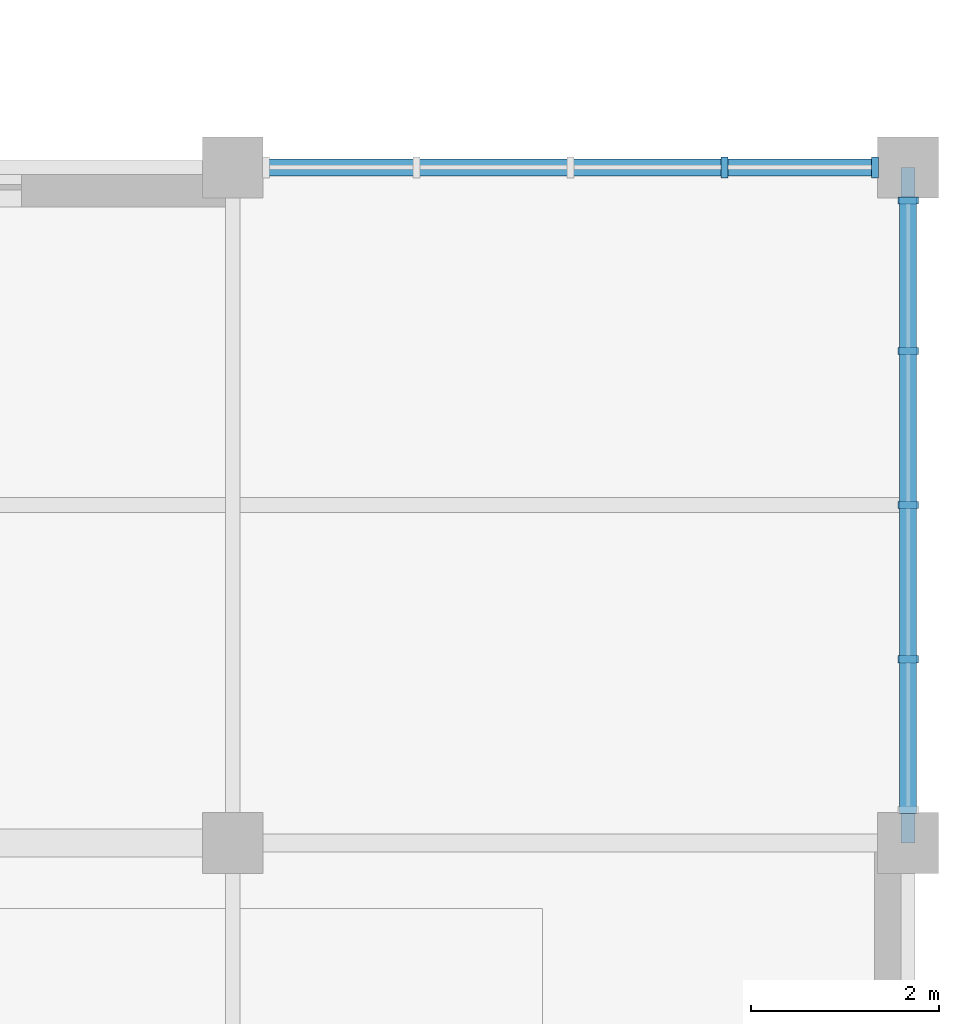
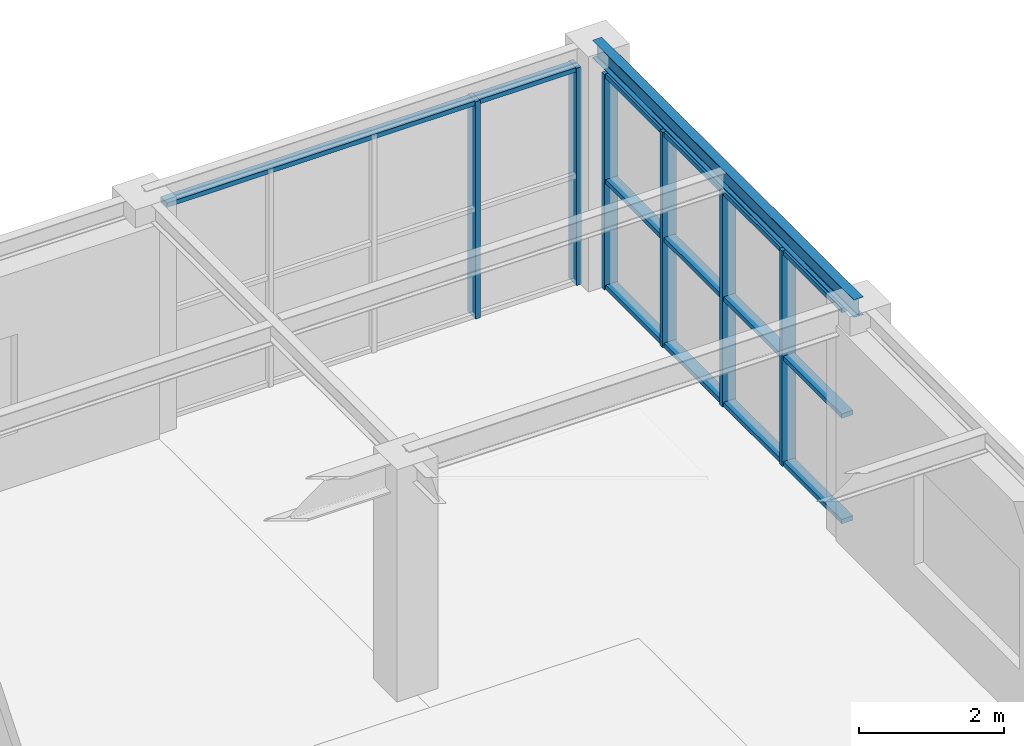
# One storey, part 41 of 83: 10 members, 1 beam, 2 elements without a shape of their own.
"""IFC4 building model written with IfcOpenShell, lengths in metres."""

from ifc_helpers import new_model, si_unit, direction, frame, origin, origin_2d, place, context, subcontext, project, spatial, rectangle, i_section, extrude, material, material_profile, profile_set, type_object, element, aggregate, save


model = new_model("IFC4")

# Units and contexts
model_context = context("Model", 3, precision=1e-05, world=origin(), true_north=direction((0.0, 1.0)))
body_context = subcontext(model_context, "Body", "Model", "MODEL_VIEW")
ifc_project = project(units=[si_unit("LENGTHUNIT", "METRE"), si_unit("AREAUNIT", "SQUARE_METRE"), si_unit("VOLUMEUNIT", "CUBIC_METRE"), si_unit("PLANEANGLEUNIT", "RADIAN"), si_unit("MASSUNIT", "GRAM", prefix="KILO")], contexts=[model_context])

# Site, building, storey
site_placement = place(None, origin())
site = spatial("IfcSite", under=ifc_project, at=site_placement, CompositionType="ELEMENT")
building_placement = place(site_placement, origin())
building = spatial("IfcBuilding", under=site, at=building_placement, Name="Leyfeld Transit Interchange", CompositionType="ELEMENT")
storey_placement = place(building_placement, frame((0.0, 0.0, 5.39990234375)))
storey = spatial("IfcBuildingStorey", under=building, at=storey_placement, Name="L01", CompositionType="ELEMENT", Elevation=5.39990234375)

# Beam
ifc_material_1 = material(Name="Steel S355J2", Category="steel")
ifc_material_profile_1 = material_profile(ifc_material_1, i_section(OverallWidth=0.14990234375, OverallDepth=0.300048828125, WebThickness=0.007080078125, FlangeThickness=0.0107421875, FilletRadius=0.014892578125, at=origin_2d()), Name="IPE 300")
ifc_profile_set_1 = profile_set([ifc_material_profile_1], Name="Steel S355J2")
beam_type = type_object("IfcBeamType", Name="BM-STL-IPE300", PredefinedType="SPANDREL", material=ifc_profile_set_1)
beam_placement = place(storey_placement, frame((187.199951171875, 86.39990234375, 3.800048828125), z_axis=(0.0, 1.0, 0.0), x_axis=(-1.0, 0.0, 0.0)))
element("IfcBeam", 1, at=beam_placement, inside=storey, type_object=beam_type, Name="Beam BM-L01-1872_0864-1872_0936", PredefinedType="SPANDREL", context=body_context, shape_type="SweptSolid", body=[
    extrude(i_section(OverallWidth=0.14990234375, OverallDepth=0.300048828125, WebThickness=0.007080078125, FlangeThickness=0.0107421875, FilletRadius=0.014892578125, at=origin_2d()), origin(), (0.0, 0.0, 1.0), 7.2001953125),
])

# Curtain wall, members
ifc_material_2 = material(Name="Anodised aluminium EN AW-6060 T66", Category="aluminium")
curtain_wall_type = type_object("IfcCurtainWallType", Name="CW-SYS-BUS-7200", PredefinedType="NOTDEFINED", material=ifc_material_2)
curtain_wall_1_placement = place(storey_placement, origin())
curtain_wall_1 = element("IfcCurtainWall", 2, at=curtain_wall_1_placement, inside=storey, type_object=curtain_wall_type, Name="Curtain Wall CW-L01-091", PredefinedType="NOTDEFINED")
ifc_material_profile_2 = material_profile(ifc_material_2, rectangle(XDim=0.074951171875, YDim=0.219970703125, at=origin_2d()), Name="CW-M 75x220")
ifc_profile_set_2 = profile_set([ifc_material_profile_2], Name="Anodised aluminium EN AW-6060 T66")
member_type_1 = type_object("IfcMemberType", Name="CW-MUL-180x70", PredefinedType="MULLION", material=ifc_profile_set_2)
member_1_placement = place(storey_placement, frame((185.242431640625, 93.60009765625, 0.0), z_axis=(0.0, 0.0, 1.0), x_axis=(1.0, 0.0, 0.0)))
member_1 = element("IfcMember", 3, at=member_1_placement, type_object=member_type_1, Name="Curtain Mullion CW-L01-091-M04", PredefinedType="MULLION", context=body_context, shape_type="SweptSolid", body=[
    extrude(rectangle(XDim=0.074951171875, YDim=0.219970703125, at=origin_2d()), origin(), (0.0, 0.0, 1.0), 3.650146484375),
])
member_2_placement = place(storey_placement, frame((186.847412109375, 93.60009765625, 0.0), z_axis=(0.0, 0.0, 1.0), x_axis=(1.0, 0.0, 0.0)))
member_2 = element("IfcMember", 4, at=member_2_placement, type_object=member_type_1, Name="Curtain Mullion CW-L01-091-M05", PredefinedType="MULLION", context=body_context, shape_type="SweptSolid", body=[
    extrude(rectangle(XDim=0.074951171875, YDim=0.219970703125, at=origin_2d()), origin(), (0.0, 0.0, 1.0), 3.650146484375),
])

curtain_wall_2_placement = place(storey_placement, origin())
curtain_wall_2 = element("IfcCurtainWall", 5, at=curtain_wall_2_placement, inside=storey, type_object=curtain_wall_type, Name="Curtain Wall CW-L01-092", PredefinedType="NOTDEFINED")
member_3_placement = place(storey_placement, frame((187.199951171875, 93.24755859375, 0.0), z_axis=(0.0, 0.0, 1.0), x_axis=(0.0, -1.0, 0.0)))
member_3 = element("IfcMember", 6, at=member_3_placement, type_object=member_type_1, Name="Curtain Mullion CW-L01-092-M01", PredefinedType="MULLION", context=body_context, shape_type="SweptSolid", body=[
    extrude(rectangle(XDim=0.074951171875, YDim=0.219970703125, at=origin_2d()), origin(), (0.0, 0.0, 1.0), 3.6201171875),
])
member_4_placement = place(storey_placement, frame((187.199951171875, 91.642578125, 0.0), z_axis=(0.0, 0.0, 1.0), x_axis=(0.0, -1.0, 0.0)))
member_4 = element("IfcMember", 7, at=member_4_placement, type_object=member_type_1, Name="Curtain Mullion CW-L01-092-M02", PredefinedType="MULLION", context=body_context, shape_type="SweptSolid", body=[
    extrude(rectangle(XDim=0.074951171875, YDim=0.219970703125, at=origin_2d()), origin(), (0.0, 0.0, 1.0), 3.6201171875),
])
member_5_placement = place(storey_placement, frame((187.199951171875, 90.0, 0.0), z_axis=(0.0, 0.0, 1.0), x_axis=(0.0, -1.0, 0.0)))
member_5 = element("IfcMember", 8, at=member_5_placement, type_object=member_type_1, Name="Curtain Mullion CW-L01-092-M03", PredefinedType="MULLION", context=body_context, shape_type="SweptSolid", body=[
    extrude(rectangle(XDim=0.074951171875, YDim=0.219970703125, at=origin_2d()), origin(), (0.0, 0.0, 1.0), 3.6201171875),
])
member_6_placement = place(storey_placement, frame((187.199951171875, 88.357421875, 0.0), z_axis=(0.0, 0.0, 1.0), x_axis=(0.0, -1.0, 0.0)))
member_6 = element("IfcMember", 9, at=member_6_placement, type_object=member_type_1, Name="Curtain Mullion CW-L01-092-M04", PredefinedType="MULLION", context=body_context, shape_type="SweptSolid", body=[
    extrude(rectangle(XDim=0.074951171875, YDim=0.219970703125, at=origin_2d()), origin(), (0.0, 0.0, 1.0), 3.6201171875),
])

# Member
ifc_material_profile_3 = material_profile(ifc_material_2, rectangle(XDim=0.179931640625, YDim=0.074951171875, at=origin_2d()), Name="CW-TRN-160x70")
ifc_profile_set_3 = profile_set([ifc_material_profile_3], Name="Anodised aluminium EN AW-6060 T66")
member_type_2 = type_object("IfcMemberType", Name="CW-TRN-160x70", PredefinedType="USERDEFINED", material=ifc_profile_set_3)
member_7_placement = place(storey_placement, frame((180.31494140625, 93.60009765625, 3.612548828125), z_axis=(1.0, 0.0, 0.0), x_axis=(0.0, 1.0, 0.0)))
member_7 = element("IfcMember", 10, at=member_7_placement, type_object=member_type_2, Name="Curtain Transom CW-L01-091-T03", ObjectType="TRANSOM", PredefinedType="USERDEFINED", context=body_context, shape_type="SweptSolid", body=[
    extrude(rectangle(XDim=0.179931640625, YDim=0.074951171875, at=origin_2d()), origin(), (0.0, 0.0, 1.0), 6.570068359375),
])

aggregate(curtain_wall_1, [member_1, member_2, member_7])

member_8_placement = place(storey_placement, frame((187.199951171875, 93.284912109375, 0.03759765625), z_axis=(0.0, -1.0, 0.0), x_axis=(1.0, 0.0, 0.0)))
member_8 = element("IfcMember", 11, at=member_8_placement, type_object=member_type_2, Name="Curtain Transom CW-L01-092-T01", ObjectType="TRANSOM", PredefinedType="USERDEFINED", context=body_context, shape_type="SweptSolid", body=[
    extrude(rectangle(XDim=0.179931640625, YDim=0.074951171875, at=origin_2d()), origin(), (0.0, 0.0, 1.0), 6.56982421875),
])

member_9_placement = place(storey_placement, frame((187.199951171875, 93.284912109375, 1.81005859375), z_axis=(0.0, -1.0, 0.0), x_axis=(1.0, 0.0, 0.0)))
member_9 = element("IfcMember", 12, at=member_9_placement, type_object=member_type_2, Name="Curtain Transom CW-L01-092-T02", ObjectType="TRANSOM", PredefinedType="USERDEFINED", context=body_context, shape_type="SweptSolid", body=[
    extrude(rectangle(XDim=0.179931640625, YDim=0.074951171875, at=origin_2d()), origin(), (0.0, 0.0, 1.0), 6.56982421875),
])

member_10_placement = place(storey_placement, frame((187.199951171875, 93.284912109375, 3.58251953125), z_axis=(0.0, -1.0, 0.0), x_axis=(1.0, 0.0, 0.0)))
member_10 = element("IfcMember", 13, at=member_10_placement, type_object=member_type_2, Name="Curtain Transom CW-L01-092-T03", ObjectType="TRANSOM", PredefinedType="USERDEFINED", context=body_context, shape_type="SweptSolid", body=[
    extrude(rectangle(XDim=0.179931640625, YDim=0.074951171875, at=origin_2d()), origin(), (0.0, 0.0, 1.0), 6.56982421875),
])

aggregate(curtain_wall_2, [member_3, member_4, member_5, member_6, member_8, member_9, member_10])

save(model, "model.ifc")
